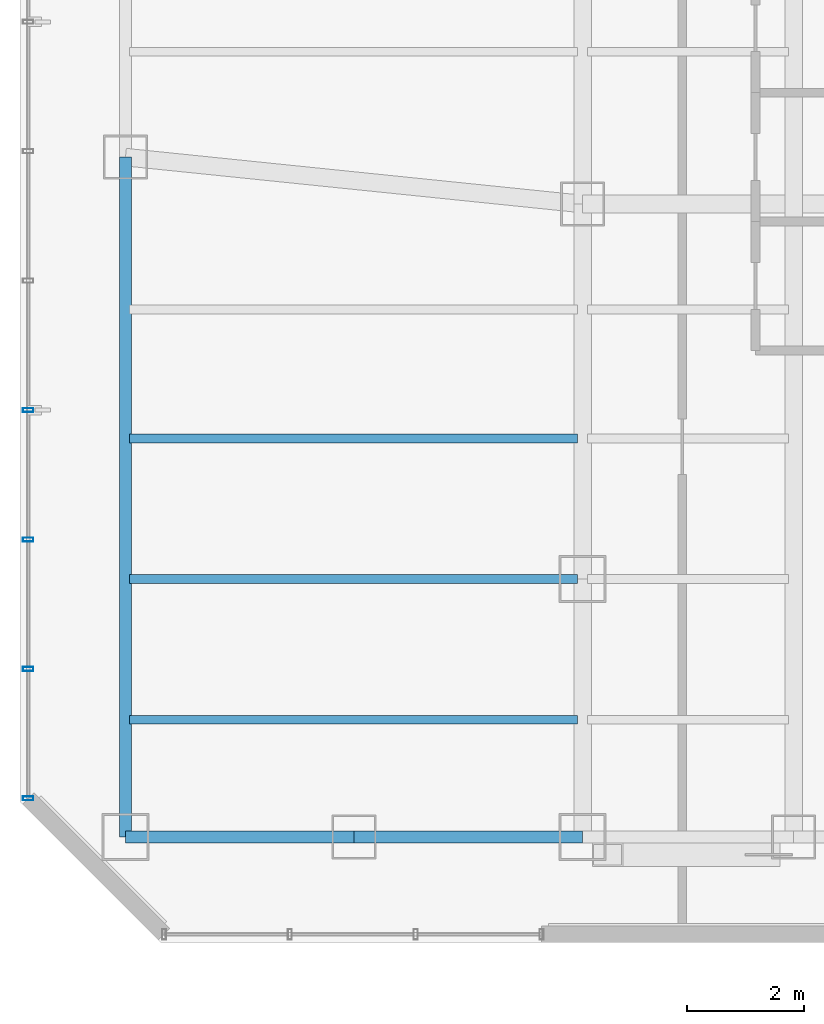
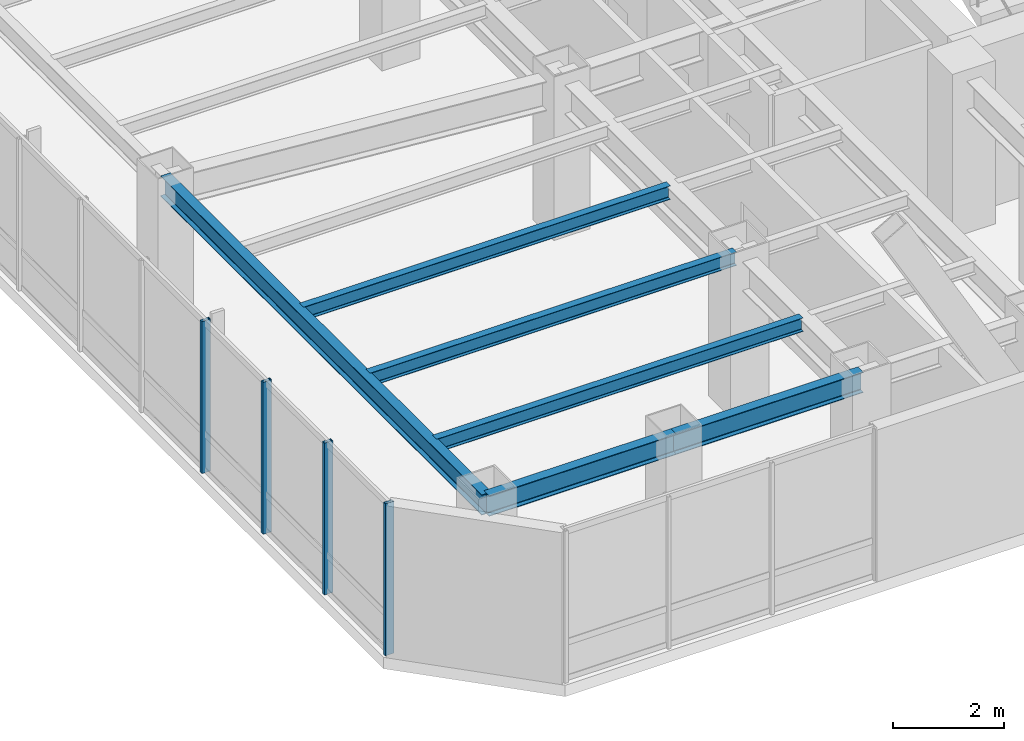
# One storey, part 4 of 28: 6 beams, 4 members, 1 element without a shape of its own.
"""IFC4 building model written with IfcOpenShell, lengths in metres."""

from ifc_helpers import new_model, si_unit, direction, frame, origin, origin_2d, place, context, subcontext, project, spatial, hollow_rectangle, i_section, extrude, material, layer, layer_set, material_profile, profile_set, type_object, element, aggregate, save


model = new_model("IFC4")

# Units and contexts
model_context = context("Model", 3, precision=1e-05, world=origin(), true_north=direction((0.0, 1.0)))
body_context = subcontext(model_context, "Body", "Model", "MODEL_VIEW")
ifc_project = project(units=[si_unit("LENGTHUNIT", "METRE"), si_unit("AREAUNIT", "SQUARE_METRE"), si_unit("VOLUMEUNIT", "CUBIC_METRE"), si_unit("PLANEANGLEUNIT", "RADIAN"), si_unit("MASSUNIT", "GRAM", prefix="KILO")], contexts=[model_context])

# Site, building, storey
site_placement = place(None, origin())
site = spatial("IfcSite", under=ifc_project, at=site_placement, CompositionType="ELEMENT")
building_placement = place(site_placement, origin())
building = spatial("IfcBuilding", under=site, at=building_placement, Name="Hatsunagi Terrace Concourse", CompositionType="ELEMENT")
storey_placement = place(building_placement, frame((0.0, 0.0, 170.85009765625)))
storey = spatial("IfcBuildingStorey", under=building, at=storey_placement, Name="L45", CompositionType="ELEMENT", Elevation=170.85009765625)

# Curtain wall, members
ifc_material_1 = material(Name="Anodised Aluminium Alloy 6063-T5", Category="aluminium")
ifc_layer = layer(ifc_material_1, 0.199951171875)
ifc_layer_set = layer_set([ifc_layer], Name="OfficeZone1_CW03")
curtain_wall_type = type_object("IfcCurtainWallType", Name="OfficeZone1_CW03", PredefinedType="NOTDEFINED", material=ifc_layer_set)
curtain_wall_placement = place(storey_placement, origin())
curtain_wall = element("IfcCurtainWall", 1, at=curtain_wall_placement, inside=storey, type_object=curtain_wall_type, Name="Unitised Curtain Wall CW-03 CW-L45-09", PredefinedType="NOTDEFINED")
ifc_material_2 = material(Name="Anodised Aluminium Alloy 6063-T5", Category="aluminium")
ifc_material_profile_1 = material_profile(ifc_material_2, hollow_rectangle(XDim=0.070068359375, YDim=0.179931640625, WallThickness=0.00390625, at=origin_2d()), Name="ALU-MUL-180x70x4")
ifc_profile_set_1 = profile_set([ifc_material_profile_1], Name="Anodised Aluminium Alloy 6063-T5")
member_type = type_object("IfcMemberType", Name="CurtainWallMullion_180x70", PredefinedType="MULLION", material=ifc_profile_set_1)
member_1_placement = place(storey_placement, frame((9.739990234375, 25.85791015625, 0.0), z_axis=(0.0, 0.0, 1.0), x_axis=(0.0, 1.0, 0.0)))
member_1 = element("IfcMember", 2, at=member_1_placement, type_object=member_type, Name="Curtain Wall Mullion MUL-02", PredefinedType="MULLION", context=body_context, shape_type="SweptSolid", body=[
    extrude(hollow_rectangle(XDim=0.070068359375, YDim=0.179931640625, WallThickness=0.00390625, at=origin_2d()), origin(), (0.0, 0.0, 1.0), 3.349853515625),
])
member_2_placement = place(storey_placement, frame((9.739990234375, 28.06591796875, 0.0), z_axis=(0.0, 0.0, 1.0), x_axis=(0.0, 1.0, 0.0)))
member_2 = element("IfcMember", 3, at=member_2_placement, type_object=member_type, Name="Curtain Wall Mullion MUL-02", PredefinedType="MULLION", context=body_context, shape_type="SweptSolid", body=[
    extrude(hollow_rectangle(XDim=0.070068359375, YDim=0.179931640625, WallThickness=0.00390625, at=origin_2d()), origin(), (0.0, 0.0, 1.0), 3.349853515625),
])
member_3_placement = place(storey_placement, frame((9.739990234375, 30.27490234375, 0.0), z_axis=(0.0, 0.0, 1.0), x_axis=(0.0, 1.0, 0.0)))
member_3 = element("IfcMember", 4, at=member_3_placement, type_object=member_type, Name="Curtain Wall Mullion MUL-02", PredefinedType="MULLION", context=body_context, shape_type="SweptSolid", body=[
    extrude(hollow_rectangle(XDim=0.070068359375, YDim=0.179931640625, WallThickness=0.00390625, at=origin_2d()), origin(), (0.0, 0.0, 1.0), 3.349853515625),
])
member_4_placement = place(storey_placement, frame((9.739990234375, 32.48291015625, 0.0), z_axis=(0.0, 0.0, 1.0), x_axis=(0.0, 1.0, 0.0)))
member_4 = element("IfcMember", 5, at=member_4_placement, type_object=member_type, Name="Curtain Wall Mullion MUL-02", PredefinedType="MULLION", context=body_context, shape_type="SweptSolid", body=[
    extrude(hollow_rectangle(XDim=0.070068359375, YDim=0.179931640625, WallThickness=0.00390625, at=origin_2d()), origin(), (0.0, 0.0, 1.0), 3.349853515625),
])
aggregate(curtain_wall, [member_1, member_2, member_3, member_4])

# Beams
ifc_material_3 = material(Name="Steel SN490B", Category="steel")
ifc_material_profile_2 = material_profile(ifc_material_3, i_section(OverallWidth=0.14990234375, OverallDepth=0.300048828125, WebThickness=0.006591796875, FlangeThickness=0.009033203125, FilletRadius=0.010986328125, at=origin_2d()), Name="H-300x150x6.5x9")
ifc_profile_set_2 = profile_set([ifc_material_profile_2], Name="Steel SN490B")
beam_type_1 = type_object("IfcBeamType", Name="OfficeJoist_H_300x150", PredefinedType="JOIST", material=ifc_profile_set_2)
for number, where, z_axis, x_axis, name in (
    (6, (11.465087890625, 27.199951171875, 3.199951171875), (1.0, 0.0, 0.0), (0.0, 1.0, 0.0), "Beam J-03 J-L45-W-11-272"),
    (7, (11.465087890625, 29.60009765625, 3.199951171875), (1.0, 0.0, 0.0), (0.0, 1.0, 0.0), "Beam J-03 J-L45-W-11-296"),
    (8, (11.465087890625, 32.0, 3.199951171875), (1.0, 0.0, 0.0), (0.0, 1.0, 0.0), "Beam J-03 J-L45-W-11-320"),
):
    element("IfcBeam", number, at=place(storey_placement, frame(where, z_axis=z_axis, x_axis=x_axis)), inside=storey, type_object=beam_type_1, Name=name, PredefinedType="JOIST", context=body_context, shape_type="SweptSolid", body=[
        extrude(i_section(OverallWidth=0.14990234375, OverallDepth=0.300048828125, WebThickness=0.006591796875, FlangeThickness=0.009033203125, FilletRadius=0.010986328125, at=origin_2d()), origin(), (0.0, 0.0, 1.0), 7.64990234375),
    ])
ifc_material_4 = material(Name="Steel SN490B", Category="steel")
ifc_material_profile_3 = material_profile(ifc_material_4, i_section(OverallWidth=0.199951171875, OverallDepth=0.449951171875, WebThickness=0.009033203125, FlangeThickness=0.013916015625, FilletRadius=0.01611328125, at=origin_2d()), Name="H-450x200x9x14")
ifc_profile_set_3 = profile_set([ifc_material_profile_3], Name="Steel SN490B")
beam_type_2 = type_object("IfcBeamType", Name="PerimeterSpandrel_H_450x200", PredefinedType="SPANDREL", material=ifc_profile_set_3)
beam_1_placement = place(storey_placement, frame((11.39990234375, 25.199951171875, 3.125), z_axis=(1.0, 0.0, 0.0), x_axis=(0.0, 1.0, 0.0)))
element("IfcBeam", 9, at=beam_1_placement, inside=storey, type_object=beam_type_2, Name="Beam SP-02 BM-L45-WS-11", PredefinedType="SPANDREL", context=body_context, shape_type="SweptSolid", body=[
    extrude(i_section(OverallWidth=0.199951171875, OverallDepth=0.449951171875, WebThickness=0.009033203125, FlangeThickness=0.013916015625, FilletRadius=0.01611328125, at=origin_2d()), origin(), (0.0, 0.0, 1.0), 3.900146484375),
])
beam_2_placement = place(storey_placement, frame((15.300048828125, 25.199951171875, 3.125), z_axis=(1.0, 0.0, 0.0), x_axis=(0.0, 1.0, 0.0)))
element("IfcBeam", 10, at=beam_2_placement, inside=storey, type_object=beam_type_2, Name="Beam SP-02 BM-L45-WS-15", PredefinedType="SPANDREL", context=body_context, shape_type="SweptSolid", body=[
    extrude(i_section(OverallWidth=0.199951171875, OverallDepth=0.449951171875, WebThickness=0.009033203125, FlangeThickness=0.013916015625, FilletRadius=0.01611328125, at=origin_2d()), origin(), (0.0, 0.0, 1.0), 3.89990234375),
])
beam_3_placement = place(storey_placement, frame((11.39990234375, 25.199951171875, 3.125), z_axis=(0.0, 1.0, 0.0), x_axis=(-1.0, 0.0, 0.0)))
element("IfcBeam", 11, at=beam_3_placement, inside=storey, type_object=beam_type_2, Name="Beam SP-02 BM-L45-NS-11-25", PredefinedType="SPANDREL", context=body_context, shape_type="SweptSolid", body=[
    extrude(i_section(OverallWidth=0.199951171875, OverallDepth=0.449951171875, WebThickness=0.009033203125, FlangeThickness=0.013916015625, FilletRadius=0.01611328125, at=origin_2d()), origin(), (0.0, 0.0, 1.0), 11.60009765625),
])

save(model, "model.ifc")
